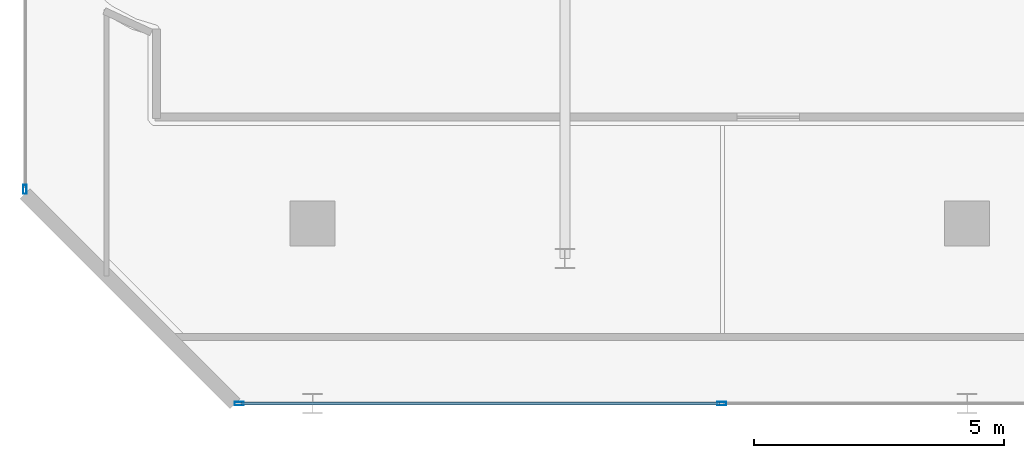
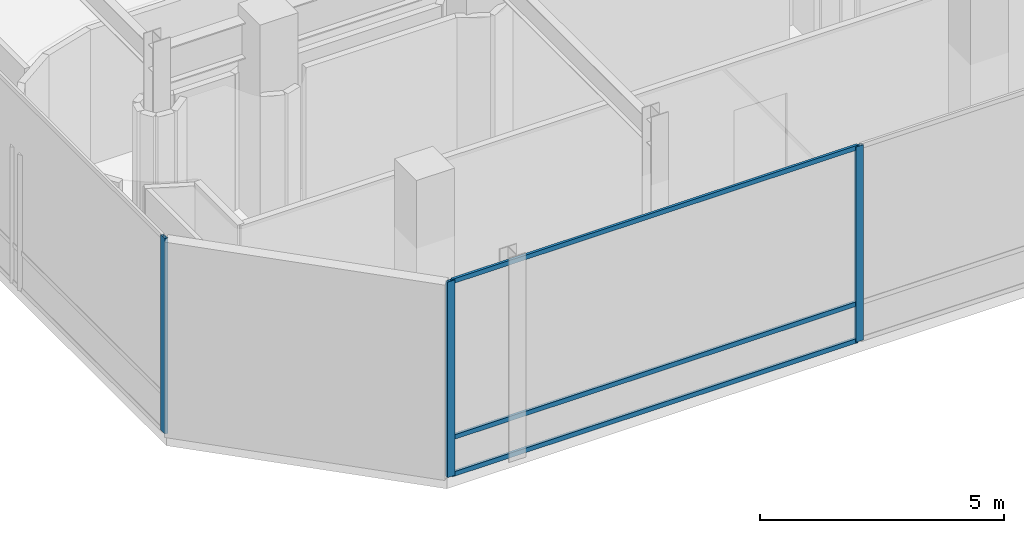
# One storey, part 5 of 40: 6 members, 2 elements without a shape of their own.
"""IFC4 building model written with IfcOpenShell, lengths in metres."""

from ifc_helpers import new_model, si_unit, direction, frame, origin, origin_2d, place, context, subcontext, project, spatial, hollow_rectangle, extrude, material, layer, layer_set, material_profile, profile_set, type_object, element, aggregate, save


model = new_model("IFC4")

# Units and contexts
model_context = context("Model", 3, precision=1e-05, world=origin(), true_north=direction((0.0, 1.0)))
body_context = subcontext(model_context, "Body", "Model", "MODEL_VIEW")
ifc_project = project(units=[si_unit("LENGTHUNIT", "METRE"), si_unit("AREAUNIT", "SQUARE_METRE"), si_unit("VOLUMEUNIT", "CUBIC_METRE"), si_unit("PLANEANGLEUNIT", "RADIAN"), si_unit("MASSUNIT", "GRAM", prefix="KILO")], contexts=[model_context])

# Site, building, storey
site_placement = place(None, origin())
site = spatial("IfcSite", under=ifc_project, at=site_placement, CompositionType="ELEMENT")
building_placement = place(site_placement, origin())
building = spatial("IfcBuilding", under=site, at=building_placement, Name="Qianvela Tower", CompositionType="ELEMENT")
storey_placement = place(building_placement, frame((0.0, 0.0, 20.60009765625)))
storey = spatial("IfcBuildingStorey", under=building, at=storey_placement, Name="L04", CompositionType="ELEMENT", Elevation=20.60009765625)

# Curtain wall, members
ifc_material_1 = material(Name="Anodised Architectural Aluminium and Low-E Glass", Category="aluminium")
ifc_layer = layer(ifc_material_1, 0.179931640625)
ifc_layer_set = layer_set([ifc_layer], Name="Anodised Architectural Aluminium and Low-E Glass")
curtain_wall_type = type_object("IfcCurtainWallType", Name="CW-COMMONS", PredefinedType="USERDEFINED", material=ifc_layer_set)
curtain_wall_1_placement = place(storey_placement, origin())
curtain_wall_1 = element("IfcCurtainWall", 1, at=curtain_wall_1_placement, inside=storey, type_object=curtain_wall_type, Name="L04 CW-COMMONS Curtain Wall 01", ObjectType="CURTAIN_WALL_SYSTEM", PredefinedType="USERDEFINED")
ifc_material_2 = material(Name="Anodised Architectural Aluminium 6063-T6", Category="aluminium")
ifc_material_profile_1 = material_profile(ifc_material_2, hollow_rectangle(XDim=0.070068359375, YDim=0.179931640625, WallThickness=0.0048828125, at=origin_2d()), Name="ALU-MULL-70x180")
ifc_profile_set_1 = profile_set([ifc_material_profile_1], Name="Anodised Architectural Aluminium 6063-T6")
member_type_1 = type_object("IfcMemberType", Name="CW-COMMONS-MULL", PredefinedType="MULLION", material=ifc_profile_set_1)
member_1_placement = place(storey_placement, frame((8.485107421875, 4.5, 0.0), z_axis=(0.0, 0.0, 1.0), x_axis=(0.0, 1.0, 0.0)))
member_1 = element("IfcMember", 2, at=member_1_placement, type_object=member_type_1, Name="CW-2 mullion 1", PredefinedType="MULLION", context=body_context, shape_type="SweptSolid", body=[
    extrude(hollow_rectangle(XDim=0.070068359375, YDim=0.179931640625, WallThickness=0.0048828125, at=origin_2d()), origin(), (0.0, 0.0, 1.0), 4.8798828125),
])
member_2_placement = place(storey_placement, frame((18.13330078125, 4.5, 0.0), z_axis=(0.0, 0.0, 1.0), x_axis=(0.0, 1.0, 0.0)))
member_2 = element("IfcMember", 3, at=member_2_placement, type_object=member_type_1, Name="CW-2 mullion 2", PredefinedType="MULLION", context=body_context, shape_type="SweptSolid", body=[
    extrude(hollow_rectangle(XDim=0.070068359375, YDim=0.179931640625, WallThickness=0.0048828125, at=origin_2d()), origin(), (0.0, 0.0, 1.0), 4.8798828125),
])

# Curtain wall, member
curtain_wall_2_placement = place(storey_placement, origin())
curtain_wall_2 = element("IfcCurtainWall", 4, at=curtain_wall_2_placement, inside=storey, type_object=curtain_wall_type, Name="L04 CW-COMMONS Curtain Wall 07", ObjectType="CURTAIN_WALL_SYSTEM", PredefinedType="USERDEFINED")
member_3_placement = place(storey_placement, frame((4.199951171875, 8.784912109375, 0.0), z_axis=(0.0, 0.0, 1.0), x_axis=(1.0, 0.0, 0.0)))
member_3 = element("IfcMember", 5, at=member_3_placement, type_object=member_type_1, Name="CW-2 mullion 5", PredefinedType="MULLION", context=body_context, shape_type="SweptSolid", body=[
    extrude(hollow_rectangle(XDim=0.070068359375, YDim=0.179931640625, WallThickness=0.0048828125, at=origin_2d()), origin(), (0.0, 0.0, 1.0), 4.8798828125),
])
aggregate(curtain_wall_2, [member_3])

# Member
ifc_material_3 = material(Name="Anodised Architectural Aluminium 6063-T6", Category="aluminium")
ifc_material_profile_2 = material_profile(ifc_material_3, hollow_rectangle(XDim=0.06005859375, YDim=0.114990234375, WallThickness=0.00390625, at=origin_2d()), Name="ALU-TRAN-60x115")
ifc_profile_set_2 = profile_set([ifc_material_profile_2], Name="Anodised Architectural Aluminium 6063-T6")
member_type_2 = type_object("IfcMemberType", Name="CW-COMMONS-TRAN", PredefinedType="USERDEFINED", material=ifc_profile_set_2)
member_4_placement = place(storey_placement, frame((8.52001953125, 4.5, 0.02978515625), z_axis=(1.0, 0.0, 0.0), x_axis=(0.0, 1.0, 0.0)))
member_4 = element("IfcMember", 6, at=member_4_placement, type_object=member_type_2, Name="CW-2 transom 1.1", ObjectType="TRANSOM", PredefinedType="USERDEFINED", context=body_context, shape_type="SweptSolid", body=[
    extrude(hollow_rectangle(XDim=0.06005859375, YDim=0.114990234375, WallThickness=0.00390625, at=origin_2d()), origin(), (0.0, 0.0, 1.0), 9.578369140625),
])

member_5_placement = place(storey_placement, frame((8.52001953125, 4.5, 0.949951171875), z_axis=(1.0, 0.0, 0.0), x_axis=(0.0, 1.0, 0.0)))
member_5 = element("IfcMember", 7, at=member_5_placement, type_object=member_type_2, Name="CW-2 transom 1.2", ObjectType="TRANSOM", PredefinedType="USERDEFINED", context=body_context, shape_type="SweptSolid", body=[
    extrude(hollow_rectangle(XDim=0.06005859375, YDim=0.114990234375, WallThickness=0.00390625, at=origin_2d()), origin(), (0.0, 0.0, 1.0), 9.578369140625),
])

member_6_placement = place(storey_placement, frame((8.52001953125, 4.5, 4.849853515625), z_axis=(1.0, 0.0, 0.0), x_axis=(0.0, 1.0, 0.0)))
member_6 = element("IfcMember", 8, at=member_6_placement, type_object=member_type_2, Name="CW-2 transom 1.3", ObjectType="TRANSOM", PredefinedType="USERDEFINED", context=body_context, shape_type="SweptSolid", body=[
    extrude(hollow_rectangle(XDim=0.06005859375, YDim=0.114990234375, WallThickness=0.00390625, at=origin_2d()), origin(), (0.0, 0.0, 1.0), 9.578369140625),
])

aggregate(curtain_wall_1, [member_1, member_2, member_4, member_5, member_6])

save(model, "model.ifc")
